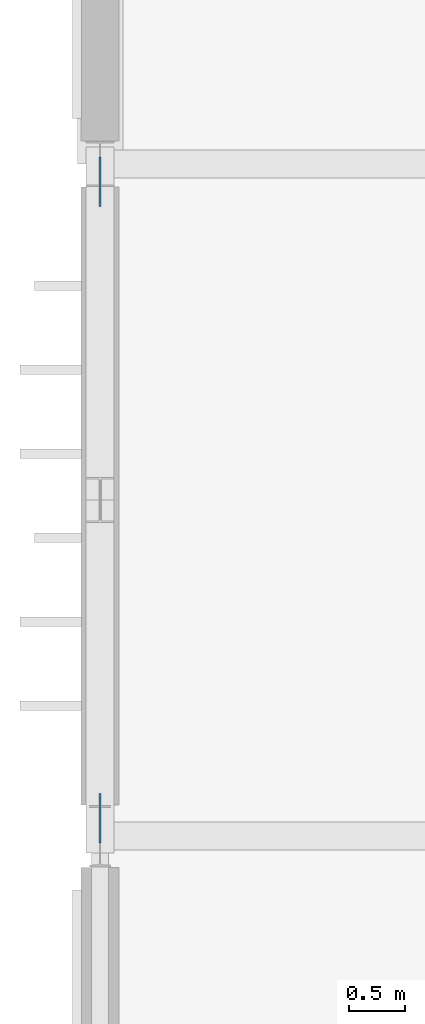
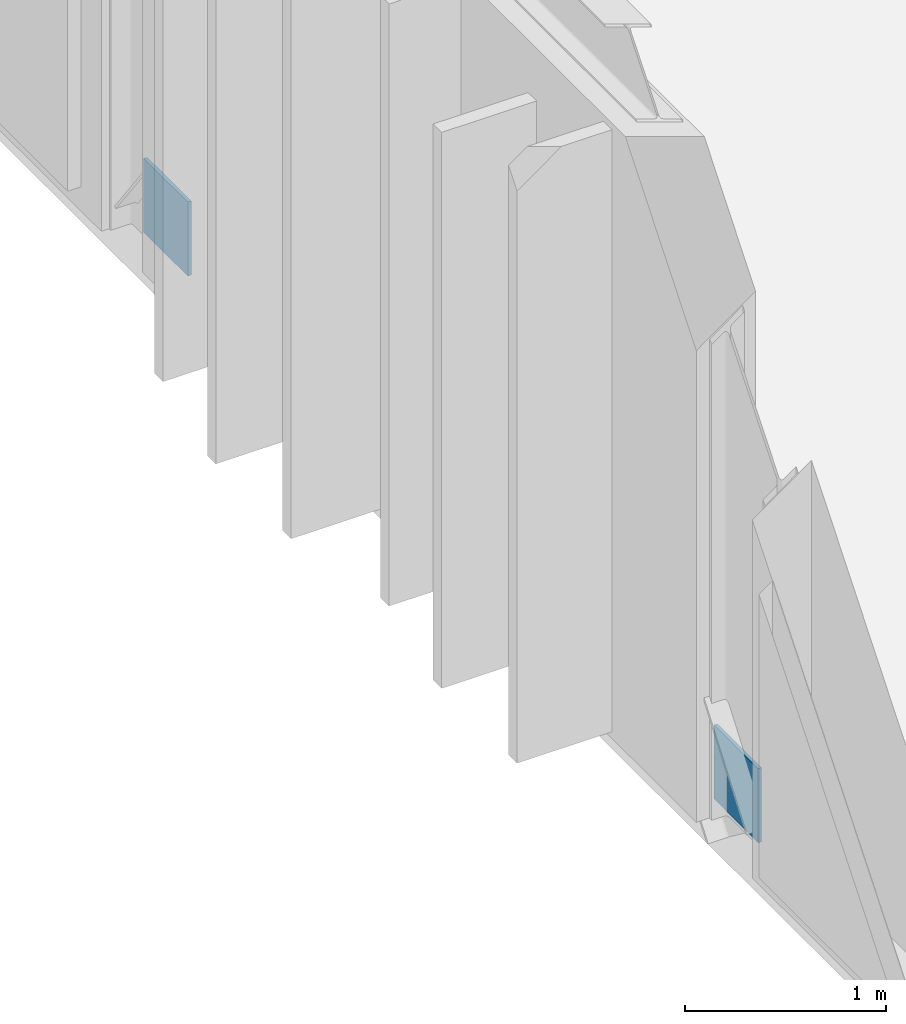
# One storey, part 67 of 84: 2 discrete accessories.
"""IFC4 building model written with IfcOpenShell, lengths in metres."""

from ifc_helpers import new_model, si_unit, direction, frame, origin, origin_2d, place, context, subcontext, project, spatial, rectangle, extrude, material, layer, layer_set, type_object, element, save


model = new_model("IFC4")

# Units and contexts
model_context = context("Model", 3, precision=1e-05, world=origin(), true_north=direction((0.0, 1.0)))
body_context = subcontext(model_context, "Body", "Model", "MODEL_VIEW")
ifc_project = project(units=[si_unit("LENGTHUNIT", "METRE"), si_unit("AREAUNIT", "SQUARE_METRE"), si_unit("VOLUMEUNIT", "CUBIC_METRE"), si_unit("PLANEANGLEUNIT", "RADIAN"), si_unit("MASSUNIT", "GRAM", prefix="KILO")], contexts=[model_context])

# Site, building, storey
site_placement = place(None, origin())
site = spatial("IfcSite", under=ifc_project, at=site_placement, CompositionType="ELEMENT")
building_placement = place(site_placement, origin())
building = spatial("IfcBuilding", under=site, at=building_placement, Name="Varnakota Square Police Headquarters", CompositionType="ELEMENT")
storey_placement = place(building_placement, frame((0.0, 0.0, 13.5)))
storey = spatial("IfcBuildingStorey", under=building, at=storey_placement, Name="L03", CompositionType="ELEMENT", Elevation=13.5)

# Discrete accessories
ifc_material = material(Name="Steel IS 2062 Grade 350", Category="steel")
ifc_layer = layer(ifc_material, 0.64990234375, Name="Steel IS 2062 Grade 350")
ifc_layer_set = layer_set([ifc_layer], Name="Steel IS 2062 Grade 350")
discrete_accessory_type = type_object("IfcDiscreteAccessoryType", Name="ACC-EMB-350", PredefinedType="BRACKET", material=ifc_layer_set)
for number, where, z_axis, x_axis, name in (
    (1, (6.0, 51.159912109375, 0.02490234375), (0.0, 0.0, 1.0), (0.0, 1.0, 0.0), "Brace gusset connection plate BF4 L03 L"),
    (2, (6.0, 56.840087890625, 0.02490234375), (0.0, 0.0, 1.0), (0.0, 1.0, 0.0), "Brace gusset connection plate BF4 L03 R"),
):
    element("IfcDiscreteAccessory", number, at=place(storey_placement, frame(where, z_axis=z_axis, x_axis=x_axis)), inside=storey, type_object=discrete_accessory_type, Name=name, PredefinedType="BRACKET", context=body_context, shape_type="SweptSolid", body=[
        extrude(rectangle(XDim=0.43994140625, YDim=0.02001953125, at=origin_2d()), origin(), (0.0, 0.0, 1.0), 0.449951171875),
    ])

save(model, "model.ifc")
